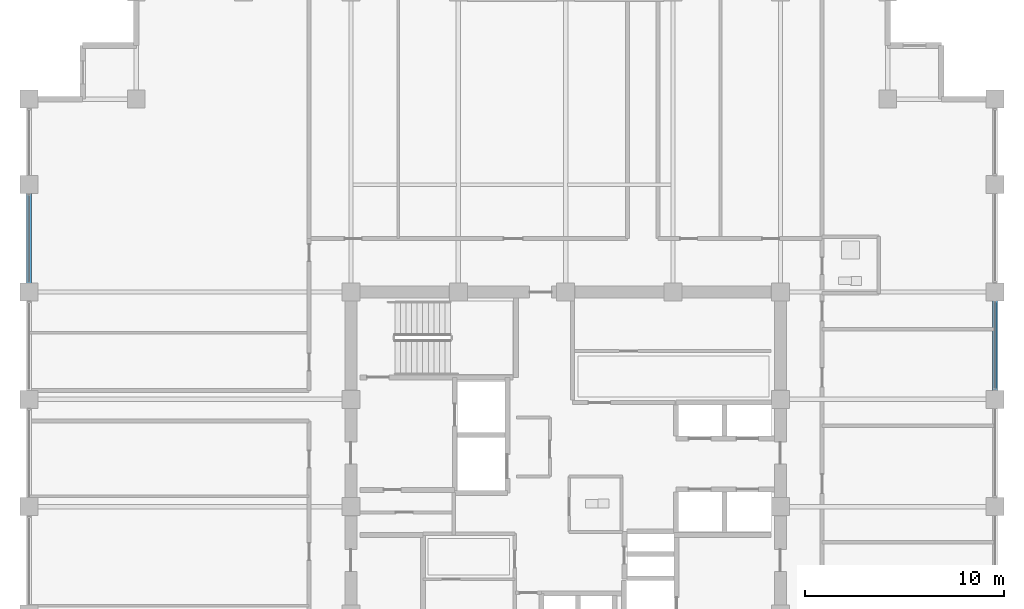
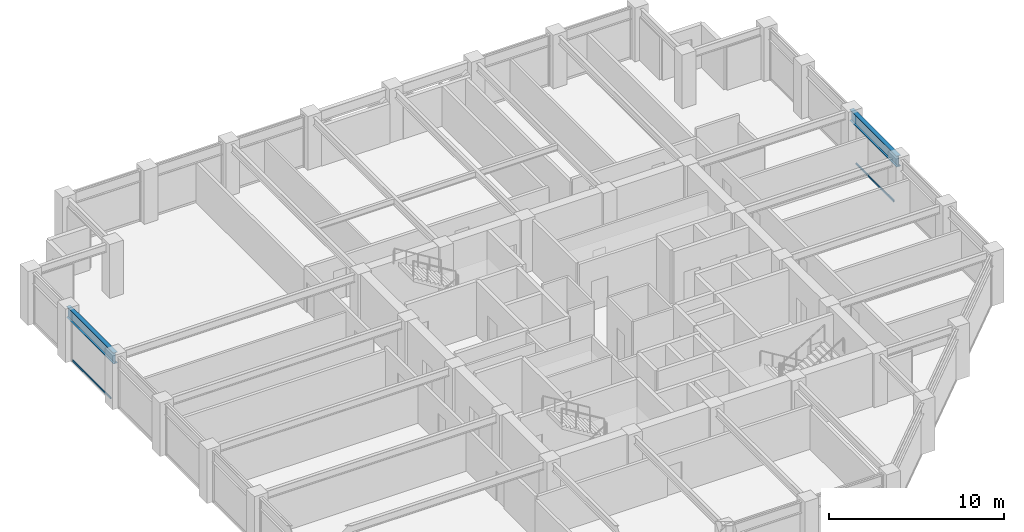
# One storey, part 15 of 32: 2 beams, 2 members, 2 elements without a shape of their own.
"""IFC4 building model written with IfcOpenShell, lengths in metres."""

from ifc_helpers import new_model, si_unit, direction, frame, origin, origin_2d, place, context, subcontext, project, spatial, hollow_rectangle, i_section, extrude, material, layer, layer_set, material_profile, profile_set, type_object, element, aggregate, save


model = new_model("IFC4")

# Units and contexts
model_context = context("Model", 3, precision=1e-05, world=origin(), true_north=direction((0.0, 1.0)))
body_context = subcontext(model_context, "Body", "Model", "MODEL_VIEW")
ifc_project = project(units=[si_unit("LENGTHUNIT", "METRE"), si_unit("AREAUNIT", "SQUARE_METRE"), si_unit("VOLUMEUNIT", "CUBIC_METRE"), si_unit("PLANEANGLEUNIT", "RADIAN"), si_unit("MASSUNIT", "GRAM", prefix="KILO")], contexts=[model_context])

# Site, building, storey
site_placement = place(None, origin())
site = spatial("IfcSite", under=ifc_project, at=site_placement, CompositionType="ELEMENT")
building_placement = place(site_placement, origin())
building = spatial("IfcBuilding", under=site, at=building_placement, Name="Surkhivell Harbour Commons", CompositionType="ELEMENT")
storey_placement = place(building_placement, frame((0.0, 0.0, 197.25)))
storey = spatial("IfcBuildingStorey", under=building, at=storey_placement, Name="L51", CompositionType="ELEMENT", Elevation=197.25)

# Beams
ifc_material_1 = material(Name="Steel S355", Category="steel")
ifc_material_profile_1 = material_profile(ifc_material_1, i_section(OverallWidth=0.26806640625, OverallDepth=0.77001953125, WebThickness=0.015625, FlangeThickness=0.025390625, at=origin_2d()), Name="UB762x267x197")
ifc_profile_set_1 = profile_set([ifc_material_profile_1], Name="Steel S355")
beam_type = type_object("IfcBeamType", Name="BM-SPN-762", PredefinedType="SPANDREL", material=ifc_profile_set_1)
beam_1_placement = place(storey_placement, frame((-27.0, 10.800048828125, 3.18505859375), z_axis=(0.0, 1.0, 0.0), x_axis=(-1.0, 0.0, 0.0)))
element("IfcBeam", 1, at=beam_1_placement, inside=storey, type_object=beam_type, Name="L51 Tube Spandrel (-27.0,10.8)", PredefinedType="SPANDREL", context=body_context, shape_type="SweptSolid", body=[
    extrude(i_section(OverallWidth=0.26806640625, OverallDepth=0.77001953125, WebThickness=0.015625, FlangeThickness=0.025390625, at=origin_2d()), origin(), (0.0, 0.0, 1.0), 5.39990234375),
])
beam_2_placement = place(storey_placement, frame((21.60009765625, 5.39990234375, 3.18505859375), z_axis=(0.0, 1.0, 0.0), x_axis=(-1.0, 0.0, 0.0)))
element("IfcBeam", 2, at=beam_2_placement, inside=storey, type_object=beam_type, Name="L51 Tube Spandrel (21.6,5.4)", PredefinedType="SPANDREL", context=body_context, shape_type="SweptSolid", body=[
    extrude(i_section(OverallWidth=0.26806640625, OverallDepth=0.77001953125, WebThickness=0.015625, FlangeThickness=0.025390625, at=origin_2d()), origin(), (0.0, 0.0, 1.0), 5.400146484375),
])

# Curtain wall, member
ifc_material_2 = material(Name="Anodised pale-metal aluminium and insulated glazing", Category="aluminium")
ifc_layer = layer(ifc_material_2, 0.18994140625)
ifc_layer_set = layer_set([ifc_layer], Name="Anodised pale-metal aluminium and insulated glazing")
curtain_wall_type = type_object("IfcCurtainWallType", Name="CW-SYS-Z3", PredefinedType="NOTDEFINED", material=ifc_layer_set)
curtain_wall_1_placement = place(storey_placement, origin())
curtain_wall_1 = element("IfcCurtainWall", 3, at=curtain_wall_1_placement, inside=storey, type_object=curtain_wall_type, Name="L51 Curtain Wall CW-L51-E02", PredefinedType="NOTDEFINED")
ifc_material_3 = material(Name="Champagne anodised aluminium alloy 6063-T6", Category="aluminium")
ifc_material_profile_2 = material_profile(ifc_material_3, hollow_rectangle(XDim=0.070068359375, YDim=0.1298828125, WallThickness=0.00341796875, at=origin_2d()), Name="ALU-TRAN-70x130")
ifc_profile_set_2 = profile_set([ifc_material_profile_2], Name="Champagne anodised aluminium alloy 6063-T6")
member_type = type_object("IfcMemberType", Name="CWT-130", PredefinedType="USERDEFINED", material=ifc_profile_set_2)
member_1_placement = place(storey_placement, frame((21.60009765625, 5.927001953125, 0.06494140625), z_axis=(0.0, 1.0, 0.0), x_axis=(-1.0, 0.0, 0.0)))
member_1 = element("IfcMember", 4, at=member_1_placement, type_object=member_type, Name="CW-Z3 transom 3.1", ObjectType="TRANSOM", PredefinedType="USERDEFINED", context=body_context, shape_type="SweptSolid", body=[
    extrude(hollow_rectangle(XDim=0.070068359375, YDim=0.1298828125, WallThickness=0.00341796875, at=origin_2d()), origin(), (0.0, 0.0, 1.0), 4.345947265625),
])
aggregate(curtain_wall_1, [member_1])

curtain_wall_2_placement = place(storey_placement, origin())
curtain_wall_2 = element("IfcCurtainWall", 5, at=curtain_wall_2_placement, inside=storey, type_object=curtain_wall_type, Name="L51 Curtain Wall CW-L51-E12S1", PredefinedType="NOTDEFINED")
member_2_placement = place(storey_placement, frame((-27.0, 15.673095703125, 0.06494140625), z_axis=(0.0, -1.0, 0.0), x_axis=(1.0, 0.0, 0.0)))
member_2 = element("IfcMember", 6, at=member_2_placement, type_object=member_type, Name="CW-Z3 transom 2.1", ObjectType="TRANSOM", PredefinedType="USERDEFINED", context=body_context, shape_type="SweptSolid", body=[
    extrude(hollow_rectangle(XDim=0.070068359375, YDim=0.1298828125, WallThickness=0.00341796875, at=origin_2d()), origin(), (0.0, 0.0, 1.0), 4.34619140625),
])
aggregate(curtain_wall_2, [member_2])

save(model, "model.ifc")
